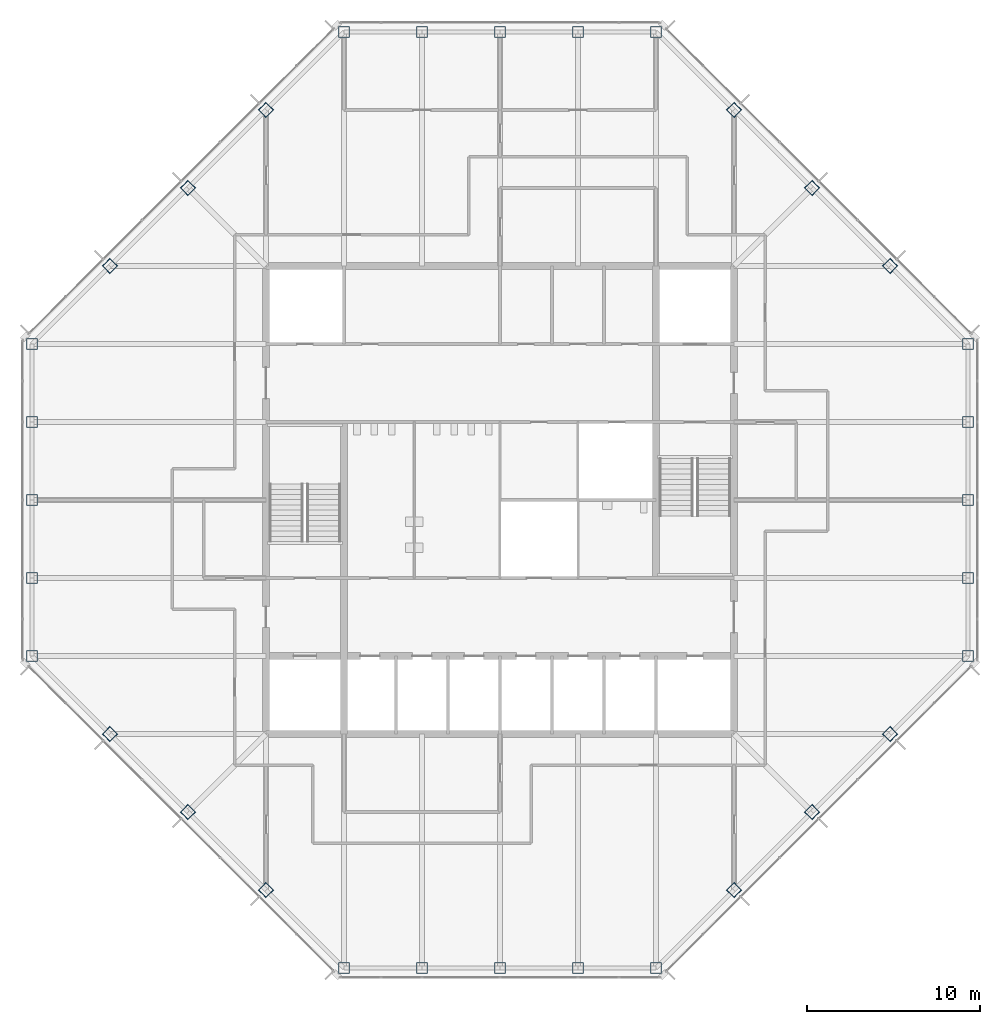
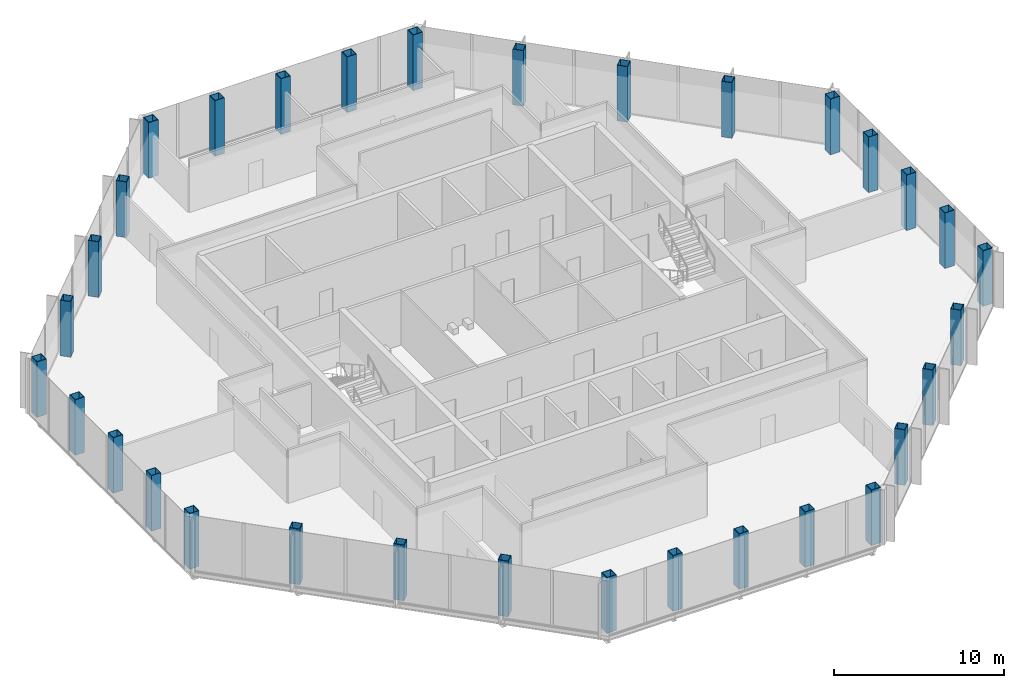
# One storey, part 1 of 13: 32 columns.
"""IFC4 building model written with IfcOpenShell, lengths in metres."""

from ifc_helpers import new_model, si_unit, direction, frame, origin, origin_2d, place, context, subcontext, project, spatial, hollow_rectangle, extrude, material, material_profile, profile_set, type_object, element, save


model = new_model("IFC4")

# Units and contexts
model_context = context("Model", 3, precision=1e-05, world=origin(), true_north=direction((0.0, 1.0)))
body_context = subcontext(model_context, "Body", "Model", "MODEL_VIEW")
ifc_project = project(units=[si_unit("LENGTHUNIT", "METRE"), si_unit("AREAUNIT", "SQUARE_METRE"), si_unit("VOLUMEUNIT", "CUBIC_METRE"), si_unit("PLANEANGLEUNIT", "RADIAN"), si_unit("MASSUNIT", "GRAM", prefix="KILO")], contexts=[model_context])

# Site, building, storey
site_placement = place(None, origin())
site = spatial("IfcSite", under=ifc_project, at=site_placement, CompositionType="ELEMENT")
building_placement = place(site_placement, origin())
building = spatial("IfcBuilding", under=site, at=building_placement, Name="Corais Broadcast Tower", CompositionType="ELEMENT")
storey_placement = place(building_placement, frame((0.0, 0.0, 238.60009765625)))
storey = spatial("IfcBuildingStorey", under=building, at=storey_placement, Name="L55", CompositionType="ELEMENT", Elevation=238.60009765625)

# Columns
ifc_material = material(Name="Steel ASTM A572 Grade 50", Category="steel")
ifc_material_profile = material_profile(ifc_material, hollow_rectangle(XDim=0.64990234375, YDim=0.64990234375, WallThickness=0.031982421875, at=origin_2d()), Name="BOX 650x650x32")
ifc_profile_set = profile_set([ifc_material_profile], Name="Steel ASTM A572 Grade 50")
column_type = type_object("IfcColumnType", Name="Column BOX 650x650x32", PredefinedType="COLUMN", material=ifc_profile_set)
for number, where, z_axis, x_axis, name in (
    (1, (18.0, 0.0, 0.0), (0.0, 0.0, 1.0), (1.0, 0.0, 0.0), "C6 A/7"),
    (2, (22.5, 0.0, 0.0), (0.0, 0.0, 1.0), (1.0, 0.0, 0.0), "C6 A/8"),
    (3, (27.0, 0.0, 0.0), (0.0, 0.0, 1.0), (1.0, 0.0, 0.0), "C6 A/9"),
    (4, (31.5, 0.0, 0.0), (0.0, 0.0, 1.0), (1.0, 0.0, 0.0), "C6 A/10"),
    (5, (36.0, 0.0, 0.0), (0.0, 0.0, 1.0), (1.0, 0.0, 0.0), "C6 A/11"),
    (6, (54.0, 18.0, 0.0), (0.0, 0.0, 1.0), (1.0, 0.0, 0.0), "C6 E/15"),
    (7, (54.0, 22.5, 0.0), (0.0, 0.0, 1.0), (1.0, 0.0, 0.0), "C6 F/15"),
    (8, (54.0, 27.0, 0.0), (0.0, 0.0, 1.0), (1.0, 0.0, 0.0), "C6 G/15"),
    (9, (54.0, 31.5, 0.0), (0.0, 0.0, 1.0), (1.0, 0.0, 0.0), "C6 H/15"),
    (10, (54.0, 36.0, 0.0), (0.0, 0.0, 1.0), (1.0, 0.0, 0.0), "C6 J/15"),
    (11, (36.0, 54.0, 0.0), (0.0, 0.0, 1.0), (1.0, 0.0, 0.0), "C6 N/11"),
    (12, (31.5, 54.0, 0.0), (0.0, 0.0, 1.0), (1.0, 0.0, 0.0), "C6 N/10"),
    (13, (27.0, 54.0, 0.0), (0.0, 0.0, 1.0), (1.0, 0.0, 0.0), "C6 N/9"),
    (14, (22.5, 54.0, 0.0), (0.0, 0.0, 1.0), (1.0, 0.0, 0.0), "C6 N/8"),
    (15, (18.0, 54.0, 0.0), (0.0, 0.0, 1.0), (1.0, 0.0, 0.0), "C6 N/7"),
    (16, (0.0, 36.0, 0.0), (0.0, 0.0, 1.0), (1.0, 0.0, 0.0), "C6 J/3"),
    (17, (0.0, 31.5, 0.0), (0.0, 0.0, 1.0), (1.0, 0.0, 0.0), "C6 H/3"),
    (18, (0.0, 27.0, 0.0), (0.0, 0.0, 1.0), (1.0, 0.0, 0.0), "C6 G/3"),
    (19, (0.0, 22.5, 0.0), (0.0, 0.0, 1.0), (1.0, 0.0, 0.0), "C6 F/3"),
    (20, (0.0, 18.0, 0.0), (0.0, 0.0, 1.0), (1.0, 0.0, 0.0), "C6 E/3"),
    (21, (13.5, 4.5, 0.0), (0.0, 0.0, 1.0), (0.707106781187, 0.707106781187, 0.0), "C6 B/6"),
    (22, (9.0, 9.0, 0.0), (0.0, 0.0, 1.0), (0.707106781187, 0.707106781187, 0.0), "C6 C/5"),
    (23, (4.5, 13.5, 0.0), (0.0, 0.0, 1.0), (0.707106781187, 0.707106781187, 0.0), "C6 D/4"),
    (24, (40.5, 4.5, 0.0), (0.0, 0.0, 1.0), (0.707106781187, 0.707106781187, 0.0), "C6 B/12"),
    (25, (45.0, 9.0, 0.0), (0.0, 0.0, 1.0), (0.707106781187, 0.707106781187, 0.0), "C6 C/13"),
    (26, (49.5, 13.5, 0.0), (0.0, 0.0, 1.0), (0.707106781187, 0.707106781187, 0.0), "C6 D/14"),
    (27, (49.5, 40.5, 0.0), (0.0, 0.0, 1.0), (0.707106781187, 0.707106781187, 0.0), "C6 K/14"),
    (28, (45.0, 45.0, 0.0), (0.0, 0.0, 1.0), (0.707106781187, 0.707106781187, 0.0), "C6 L/13"),
    (29, (40.5, 49.5, 0.0), (0.0, 0.0, 1.0), (0.707106781187, 0.707106781187, 0.0), "C6 M/12"),
    (30, (4.5, 40.5, 0.0), (0.0, 0.0, 1.0), (0.707106781187, 0.707106781187, 0.0), "C6 K/4"),
    (31, (9.0, 45.0, 0.0), (0.0, 0.0, 1.0), (0.707106781187, 0.707106781187, 0.0), "C6 L/5"),
    (32, (13.5, 49.5, 0.0), (0.0, 0.0, 1.0), (0.707106781187, 0.707106781187, 0.0), "C6 M/6"),
):
    element("IfcColumn", number, at=place(storey_placement, frame(where, z_axis=z_axis, x_axis=x_axis)), inside=storey, type_object=column_type, Name=name, PredefinedType="COLUMN", context=body_context, shape_type="SweptSolid", body=[
        extrude(hollow_rectangle(XDim=0.64990234375, YDim=0.64990234375, WallThickness=0.031982421875, at=origin_2d()), origin(), (0.0, 0.0, 1.0), 4.0),
    ])

save(model, "model.ifc")
